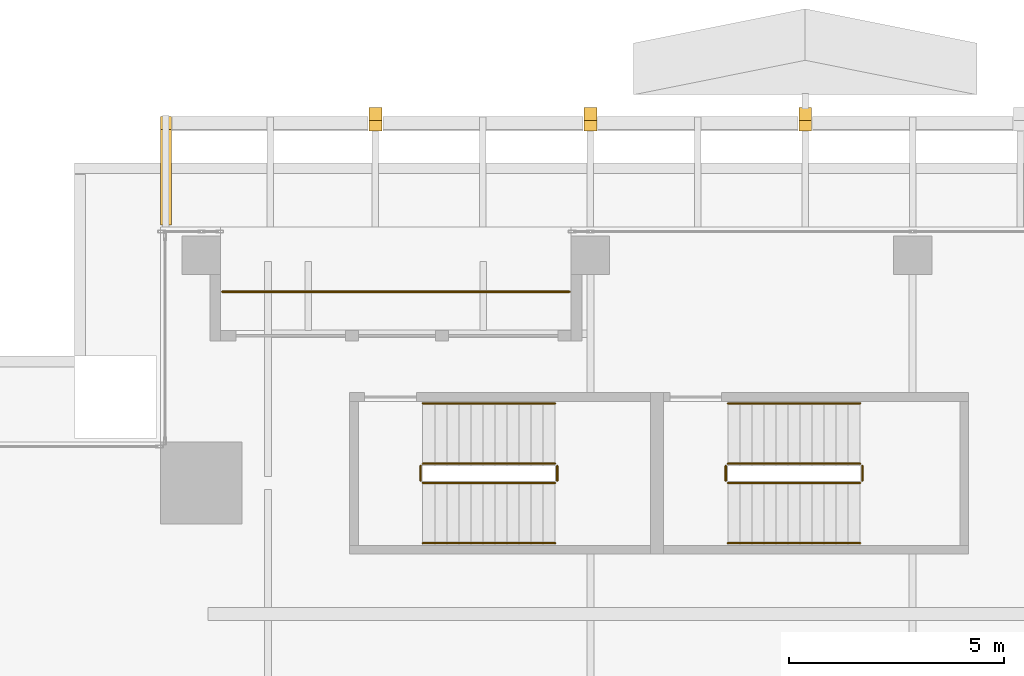
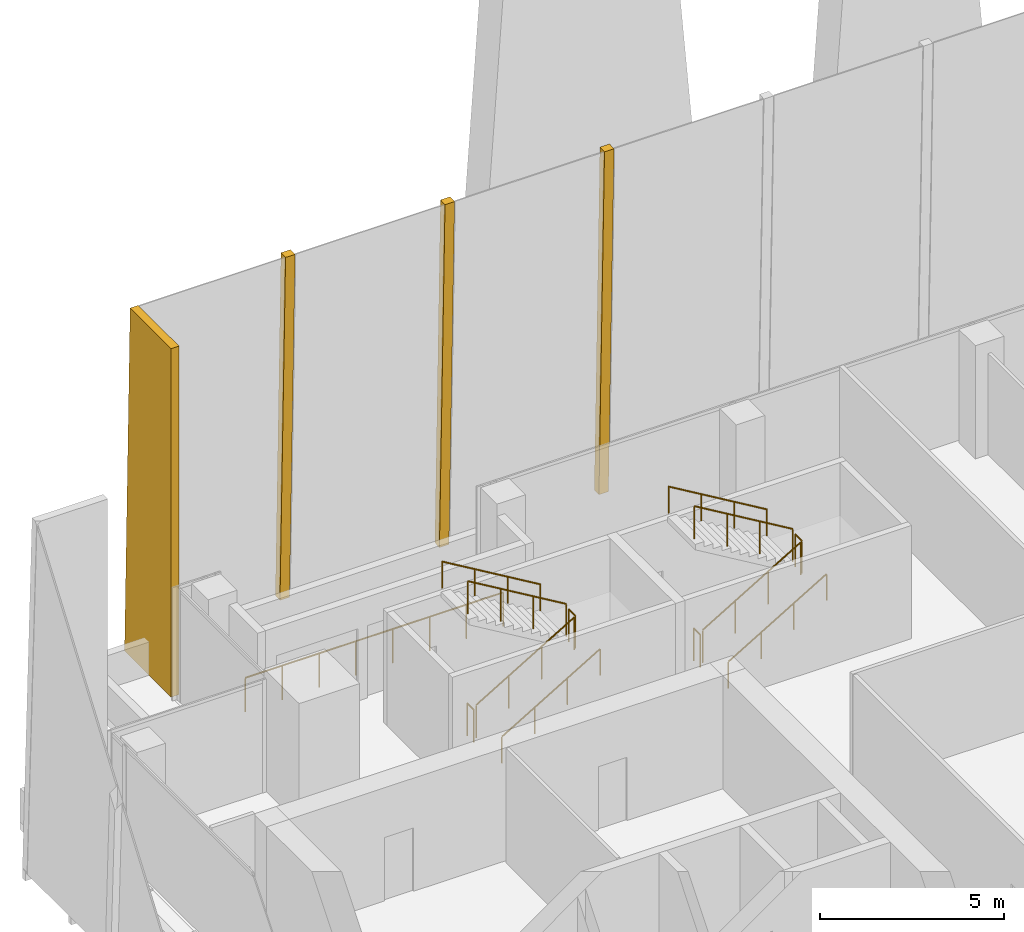
# One storey, part 32 of 33: 13 railings, 4 coverings.
"""IFC4 building model written with IfcOpenShell, lengths in metres."""

from ifc_helpers import new_model, si_unit, direction, frame, origin, origin_2d, place, context, subcontext, project, spatial, polyline, circle, outline, extrude, source, transform, mapped, material, layer, layer_set, type_object, element, save


model = new_model("IFC4")

# Units and contexts
model_context = context("Model", 3, precision=1e-05, world=origin(), true_north=direction((0.0, 1.0)))
body_context = subcontext(model_context, "Body", "Model", "MODEL_VIEW")
ifc_project = project(units=[si_unit("LENGTHUNIT", "METRE"), si_unit("AREAUNIT", "SQUARE_METRE"), si_unit("VOLUMEUNIT", "CUBIC_METRE"), si_unit("PLANEANGLEUNIT", "RADIAN"), si_unit("MASSUNIT", "GRAM", prefix="KILO")], contexts=[model_context])

# Site, building, storey
site_placement = place(None, origin())
site = spatial("IfcSite", under=ifc_project, at=site_placement, CompositionType="ELEMENT")
building_placement = place(site_placement, origin())
building = spatial("IfcBuilding", under=site, at=building_placement, Name="Khomas Fold Tower", CompositionType="ELEMENT")
storey_placement = place(building_placement, frame((0.0, 0.0, 222.199951171875)))
storey = spatial("IfcBuildingStorey", under=building, at=storey_placement, Name="L49", CompositionType="ELEMENT", Elevation=222.199951171875)

# Coverings
ifc_material_1 = material(Name="Natural stone cladding", Category="masonry")
ifc_layer = layer(ifc_material_1, 0.25)
ifc_layer_set = layer_set([ifc_layer], Name="Natural stone cladding")
covering_type = type_object("IfcCoveringType", Name="SK-Karibib marble stone mullion", PredefinedType="CLADDING", material=ifc_layer_set)
for number, where, z_axis, x_axis, name in (
    (1, (14.35009765625, 52.289306640625, 0.006591796875), (0.0, 0.999657230839, 0.026180543005), (1.0, 0.0, 0.0), "OUTER SKIN mullion L49 N2"),
    (2, (19.35009765625, 52.289306640625, 0.006591796875), (0.0, 0.999657230839, 0.026180543005), (1.0, 0.0, 0.0), "OUTER SKIN mullion L49 N4"),
    (3, (24.35009765625, 52.289306640625, 0.006591796875), (0.0, 0.999657230839, 0.026180543005), (1.0, 0.0, 0.0), "OUTER SKIN mullion L49 N6"),
):
    element("IfcCovering", number, at=place(storey_placement, frame(where, z_axis=z_axis, x_axis=x_axis)), inside=storey, type_object=covering_type, Name=name, PredefinedType="CLADDING", context=body_context, shape_type="SweptSolid", body=[
        extrude(outline(polyline([(0.0, 0.0), (0.2998046875, 0.0), (0.2998046875, -11.554009186164079), (0.0, -11.554009186164079), (0.0, 0.0)])), origin(), (0.0, 0.0, -1.0), 0.25),
    ])
covering_placement = place(storey_placement, frame((9.5, 49.550048828125, 11.550048828125), z_axis=(-1.0, 0.0, 0.0), x_axis=(0.0, 1.0, 0.0)))
element("IfcCovering", 4, at=covering_placement, inside=storey, type_object=covering_type, Name="OUTER SKIN return L49 N1", PredefinedType="CLADDING", context=body_context, shape_type="SweptSolid", body=[
    extrude(outline(polyline([(0.0, 0.0), (2.226806640625, 0.0), (2.529296875, 11.550048828125), (0.0, 11.550048828125), (0.0, 0.0)])), origin(), (0.0, 0.0, -1.0), 0.25),
])

# Railings
ifc_material_2 = material(Name="Powder-coated steel", Category="steel")
railing_type_1 = type_object("IfcRailingType", Name="Balcony guard", PredefinedType="GUARDRAIL", material=ifc_material_2)
shared_shape_1 = source(origin(), body_context, "Body", "SweptSolid", [
    extrude(circle(Radius=0.02490234375, at=origin_2d()), frame((0.0, 0.0, 1.125), z_axis=(1.0, 0.0, 0.0), x_axis=(0.0, 1.0, 0.0)), (0.0, 0.0, 1.0), 8.090087890625),
    extrude(circle(Radius=0.02001953125, at=origin_2d()), origin(), (0.0, 0.0, 1.0), 1.099853515625),
    extrude(circle(Radius=0.02001953125, at=origin_2d()), frame((1.15576171875, 0.0, 0.0)), (0.0, 0.0, 1.0), 1.099853515625),
    extrude(circle(Radius=0.02001953125, at=origin_2d()), frame((2.3115234375, 0.0, 0.0)), (0.0, 0.0, 1.0), 1.099853515625),
    extrude(circle(Radius=0.02001953125, at=origin_2d()), frame((3.46728515625, 0.0, 0.0)), (0.0, 0.0, 1.0), 1.099853515625),
    extrude(circle(Radius=0.02001953125, at=origin_2d()), frame((4.622802734375, 0.0, 0.0)), (0.0, 0.0, 1.0), 1.099853515625),
    extrude(circle(Radius=0.02001953125, at=origin_2d()), frame((5.778564453125, 0.0, 0.0)), (0.0, 0.0, 1.0), 1.099853515625),
    extrude(circle(Radius=0.02001953125, at=origin_2d()), frame((6.934326171875, 0.0, 0.0)), (0.0, 0.0, 1.0), 1.099853515625),
    extrude(circle(Radius=0.02001953125, at=origin_2d()), frame((8.090087890625, 0.0, 0.0)), (0.0, 0.0, 1.0), 1.099853515625),
])
railing_1_placement = place(storey_placement, frame((10.929931640625, 48.0, -0.044921875)))
element("IfcRailing", 5, at=railing_1_placement, inside=storey, type_object=railing_type_1, Name="Balcony guard BAL-L49-N1", PredefinedType="GUARDRAIL", context=body_context, shape_type="MappedRepresentation", body=[
    mapped(shared_shape_1, transform((0.0, 0.0, 0.0))),
])
ifc_material_3 = material(Name="Steel balustrade", Category="steel")
railing_type_2 = type_object("IfcRailingType", Name="Stair guard", PredefinedType="GUARDRAIL", material=ifc_material_3)
shared_shape_2 = source(origin(), body_context, "Body", "SweptSolid", [
    extrude(circle(Radius=0.02392578125, at=origin_2d()), frame((0.0, 0.0, 1.076171875), z_axis=(0.0, 1.0, 0.0), x_axis=(-1.0, 0.0, 0.0)), (0.0, 0.0, 1.0), 0.349853515625),
    extrude(circle(Radius=0.02099609375, at=origin_2d()), origin(), (0.0, 0.0, 1.0), 1.052001953125),
    extrude(circle(Radius=0.02099609375, at=origin_2d()), frame((0.0, 0.349853515625, 0.0)), (0.0, 0.0, 1.0), 1.052001953125),
])
for number, where, name in (
    (6, (18.72998046875, 43.60009765625, 2.0), "L49 ST1 stair guard 2"),
    (7, (15.550048828125, 43.60009765625, 0.0), "L49 ST1 stair guard 4"),
    (8, (25.830078125, 43.60009765625, 2.0), "L49 ST3 stair guard 2"),
    (9, (22.64990234375, 43.60009765625, 0.0), "L49 ST3 stair guard 4"),
):
    element("IfcRailing", number, at=place(storey_placement, frame(where)), inside=storey, type_object=railing_type_2, Name=name, PredefinedType="GUARDRAIL", context=body_context, shape_type="MappedRepresentation", body=[
        mapped(shared_shape_2, transform((0.0, 0.0, 0.0))),
    ])
shared_shape_3 = source(origin(), body_context, "Body", "SweptSolid", [
    extrude(circle(Radius=0.02392578125, at=origin_2d()), frame((0.0, 0.0, 1.076171875), z_axis=(0.859290745958, 0.0, 0.51148745235), x_axis=(0.0, 1.0, 0.0)), (0.0, 0.0, 1.0), 3.584228515625),
    extrude(circle(Radius=0.02099609375, at=origin_2d()), origin(), (0.0, 0.0, 1.0), 1.052001953125),
    extrude(circle(Radius=0.02099609375, at=origin_2d()), frame((1.026611328125, 0.0, 0.611083984375)), (0.0, 0.0, 1.0), 1.052001953125),
    extrude(circle(Radius=0.02099609375, at=origin_2d()), frame((2.05322265625, 0.0, 1.22216796875)), (0.0, 0.0, 1.0), 1.052001953125),
    extrude(circle(Radius=0.02099609375, at=origin_2d()), frame((3.079833984375, 0.0, 1.833251953125)), (0.0, 0.0, 1.0), 1.052001953125),
])
railing_2_placement = place(storey_placement, frame((15.60009765625, 43.550048828125, 0.166748046875)))
element("IfcRailing", 10, at=railing_2_placement, inside=storey, type_object=railing_type_2, Name="L49 ST1 stair guard 1", PredefinedType="GUARDRAIL", context=body_context, shape_type="MappedRepresentation", body=[
    mapped(shared_shape_3, transform((0.0, 0.0, 0.0))),
])
shared_shape_4 = source(origin(), body_context, "Body", "SweptSolid", [
    extrude(circle(Radius=0.02392578125, at=origin_2d()), frame((0.0, 0.0, 1.076171875), z_axis=(-0.859290745958, 0.0, 0.51148745235), x_axis=(0.0, -1.0, 0.0)), (0.0, 0.0, 1.0), 3.584228515625),
    extrude(circle(Radius=0.02099609375, at=origin_2d()), origin(), (0.0, 0.0, 1.0), 1.052001953125),
    extrude(circle(Radius=0.02099609375, at=origin_2d()), frame((-1.026611328125, 0.0, 0.611083984375)), (0.0, 0.0, 1.0), 1.052001953125),
    extrude(circle(Radius=0.02099609375, at=origin_2d()), frame((-2.05322265625, 0.0, 1.22216796875)), (0.0, 0.0, 1.0), 1.052001953125),
    extrude(circle(Radius=0.02099609375, at=origin_2d()), frame((-3.079833984375, 0.0, 1.833251953125)), (0.0, 0.0, 1.0), 1.052001953125),
])
railing_3_placement = place(storey_placement, frame((18.679931640625, 44.0, 2.166748046875)))
element("IfcRailing", 11, at=railing_3_placement, inside=storey, type_object=railing_type_2, Name="L49 ST1 stair guard 3", PredefinedType="GUARDRAIL", context=body_context, shape_type="MappedRepresentation", body=[
    mapped(shared_shape_4, transform((0.0, 0.0, 0.0))),
])
ifc_material_4 = material(Name="Steel handrail", Category="steel")
railing_type_3 = type_object("IfcRailingType", Name="Stair handrail", PredefinedType="HANDRAIL", material=ifc_material_4)
shared_shape_5 = source(origin(), body_context, "Body", "SweptSolid", [
    extrude(circle(Radius=0.02392578125, at=origin_2d()), frame((0.0, 0.0, 0.8759765625), z_axis=(0.859290745958, 0.0, 0.51148745235), x_axis=(0.0, 1.0, 0.0)), (0.0, 0.0, 1.0), 3.584228515625),
    extrude(circle(Radius=0.02099609375, at=origin_2d()), origin(), (0.0, 0.0, 1.0), 0.851806640625),
    extrude(circle(Radius=0.02099609375, at=origin_2d()), frame((1.026611328125, 0.0, 0.611083984375)), (0.0, 0.0, 1.0), 0.851806640625),
    extrude(circle(Radius=0.02099609375, at=origin_2d()), frame((2.05322265625, 0.0, 1.22216796875)), (0.0, 0.0, 1.0), 0.851806640625),
    extrude(circle(Radius=0.02099609375, at=origin_2d()), frame((3.079833984375, 0.0, 1.833251953125)), (0.0, 0.0, 1.0), 0.851806640625),
])
railing_4_placement = place(storey_placement, frame((15.60009765625, 42.14990234375, 0.166748046875)))
element("IfcRailing", 12, at=railing_4_placement, inside=storey, type_object=railing_type_3, Name="L49 ST1 stair handrail 1", PredefinedType="HANDRAIL", context=body_context, shape_type="MappedRepresentation", body=[
    mapped(shared_shape_5, transform((0.0, 0.0, 0.0))),
])
shared_shape_6 = source(origin(), body_context, "Body", "SweptSolid", [
    extrude(circle(Radius=0.02392578125, at=origin_2d()), frame((0.0, 0.0, 0.8759765625), z_axis=(-0.859290745958, 0.0, 0.51148745235), x_axis=(0.0, -1.0, 0.0)), (0.0, 0.0, 1.0), 3.584228515625),
    extrude(circle(Radius=0.02099609375, at=origin_2d()), origin(), (0.0, 0.0, 1.0), 0.851806640625),
    extrude(circle(Radius=0.02099609375, at=origin_2d()), frame((-1.026611328125, 0.0, 0.611083984375)), (0.0, 0.0, 1.0), 0.851806640625),
    extrude(circle(Radius=0.02099609375, at=origin_2d()), frame((-2.05322265625, 0.0, 1.22216796875)), (0.0, 0.0, 1.0), 0.851806640625),
    extrude(circle(Radius=0.02099609375, at=origin_2d()), frame((-3.079833984375, 0.0, 1.833251953125)), (0.0, 0.0, 1.0), 0.851806640625),
])
railing_5_placement = place(storey_placement, frame((18.679931640625, 45.39990234375, 2.166748046875)))
element("IfcRailing", 13, at=railing_5_placement, inside=storey, type_object=railing_type_3, Name="L49 ST1 stair handrail 2", PredefinedType="HANDRAIL", context=body_context, shape_type="MappedRepresentation", body=[
    mapped(shared_shape_6, transform((0.0, 0.0, 0.0))),
])
shared_shape_7 = source(origin(), body_context, "Body", "SweptSolid", [
    extrude(circle(Radius=0.02392578125, at=origin_2d()), frame((0.0, 0.0, 1.076171875), z_axis=(0.859308565015, 0.0, 0.511457515432), x_axis=(0.0, 1.0, 0.0)), (0.0, 0.0, 1.0), 3.58447265625),
    extrude(circle(Radius=0.02099609375, at=origin_2d()), origin(), (0.0, 0.0, 1.0), 1.052001953125),
    extrude(circle(Radius=0.02099609375, at=origin_2d()), frame((1.026611328125, 0.0, 0.611083984375)), (0.0, 0.0, 1.0), 1.052001953125),
    extrude(circle(Radius=0.02099609375, at=origin_2d()), frame((2.053466796875, 0.0, 1.22216796875)), (0.0, 0.0, 1.0), 1.052001953125),
    extrude(circle(Radius=0.02099609375, at=origin_2d()), frame((3.080078125, 0.0, 1.833251953125)), (0.0, 0.0, 1.0), 1.052001953125),
])
railing_6_placement = place(storey_placement, frame((22.699951171875, 43.550048828125, 0.166748046875)))
element("IfcRailing", 14, at=railing_6_placement, inside=storey, type_object=railing_type_2, Name="L49 ST3 stair guard 1", PredefinedType="GUARDRAIL", context=body_context, shape_type="MappedRepresentation", body=[
    mapped(shared_shape_7, transform((0.0, 0.0, 0.0))),
])
shared_shape_8 = source(origin(), body_context, "Body", "SweptSolid", [
    extrude(circle(Radius=0.02392578125, at=origin_2d()), frame((0.0, 0.0, 1.076171875), z_axis=(-0.859308565015, 0.0, 0.511457515432), x_axis=(0.0, -1.0, 0.0)), (0.0, 0.0, 1.0), 3.58447265625),
    extrude(circle(Radius=0.02099609375, at=origin_2d()), origin(), (0.0, 0.0, 1.0), 1.052001953125),
    extrude(circle(Radius=0.02099609375, at=origin_2d()), frame((-1.026611328125, 0.0, 0.611083984375)), (0.0, 0.0, 1.0), 1.052001953125),
    extrude(circle(Radius=0.02099609375, at=origin_2d()), frame((-2.053466796875, 0.0, 1.22216796875)), (0.0, 0.0, 1.0), 1.052001953125),
    extrude(circle(Radius=0.02099609375, at=origin_2d()), frame((-3.080078125, 0.0, 1.833251953125)), (0.0, 0.0, 1.0), 1.052001953125),
])
railing_7_placement = place(storey_placement, frame((25.780029296875, 44.0, 2.166748046875)))
element("IfcRailing", 15, at=railing_7_placement, inside=storey, type_object=railing_type_2, Name="L49 ST3 stair guard 3", PredefinedType="GUARDRAIL", context=body_context, shape_type="MappedRepresentation", body=[
    mapped(shared_shape_8, transform((0.0, 0.0, 0.0))),
])
shared_shape_9 = source(origin(), body_context, "Body", "SweptSolid", [
    extrude(circle(Radius=0.02392578125, at=origin_2d()), frame((0.0, 0.0, 0.8759765625), z_axis=(0.859308565015, 0.0, 0.511457515432), x_axis=(0.0, 1.0, 0.0)), (0.0, 0.0, 1.0), 3.58447265625),
    extrude(circle(Radius=0.02099609375, at=origin_2d()), origin(), (0.0, 0.0, 1.0), 0.851806640625),
    extrude(circle(Radius=0.02099609375, at=origin_2d()), frame((1.026611328125, 0.0, 0.611083984375)), (0.0, 0.0, 1.0), 0.851806640625),
    extrude(circle(Radius=0.02099609375, at=origin_2d()), frame((2.053466796875, 0.0, 1.22216796875)), (0.0, 0.0, 1.0), 0.851806640625),
    extrude(circle(Radius=0.02099609375, at=origin_2d()), frame((3.080078125, 0.0, 1.833251953125)), (0.0, 0.0, 1.0), 0.851806640625),
])
railing_8_placement = place(storey_placement, frame((22.699951171875, 42.14990234375, 0.166748046875)))
element("IfcRailing", 16, at=railing_8_placement, inside=storey, type_object=railing_type_3, Name="L49 ST3 stair handrail 1", PredefinedType="HANDRAIL", context=body_context, shape_type="MappedRepresentation", body=[
    mapped(shared_shape_9, transform((0.0, 0.0, 0.0))),
])
shared_shape_10 = source(origin(), body_context, "Body", "SweptSolid", [
    extrude(circle(Radius=0.02392578125, at=origin_2d()), frame((0.0, 0.0, 0.8759765625), z_axis=(-0.859308565015, 0.0, 0.511457515432), x_axis=(0.0, -1.0, 0.0)), (0.0, 0.0, 1.0), 3.58447265625),
    extrude(circle(Radius=0.02099609375, at=origin_2d()), origin(), (0.0, 0.0, 1.0), 0.851806640625),
    extrude(circle(Radius=0.02099609375, at=origin_2d()), frame((-1.026611328125, 0.0, 0.611083984375)), (0.0, 0.0, 1.0), 0.851806640625),
    extrude(circle(Radius=0.02099609375, at=origin_2d()), frame((-2.053466796875, 0.0, 1.22216796875)), (0.0, 0.0, 1.0), 0.851806640625),
    extrude(circle(Radius=0.02099609375, at=origin_2d()), frame((-3.080078125, 0.0, 1.833251953125)), (0.0, 0.0, 1.0), 0.851806640625),
])
railing_9_placement = place(storey_placement, frame((25.780029296875, 45.39990234375, 2.166748046875)))
element("IfcRailing", 17, at=railing_9_placement, inside=storey, type_object=railing_type_3, Name="L49 ST3 stair handrail 2", PredefinedType="HANDRAIL", context=body_context, shape_type="MappedRepresentation", body=[
    mapped(shared_shape_10, transform((0.0, 0.0, 0.0))),
])

save(model, "model.ifc")
